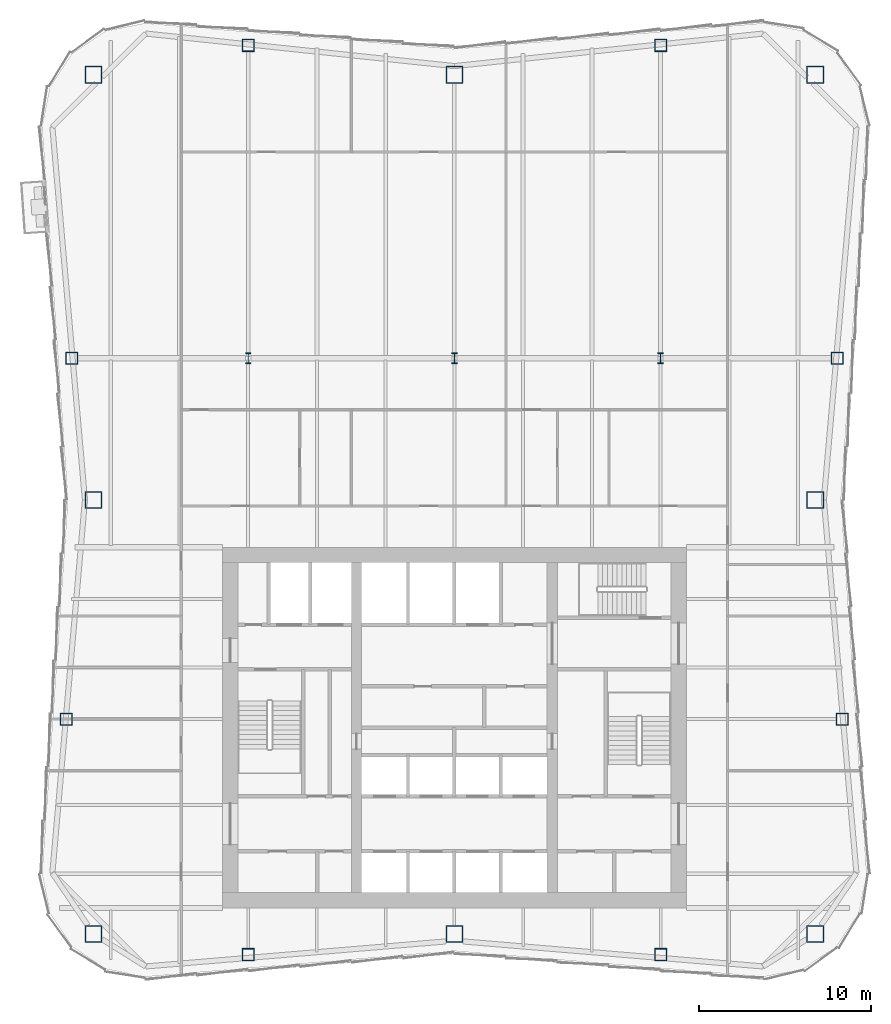
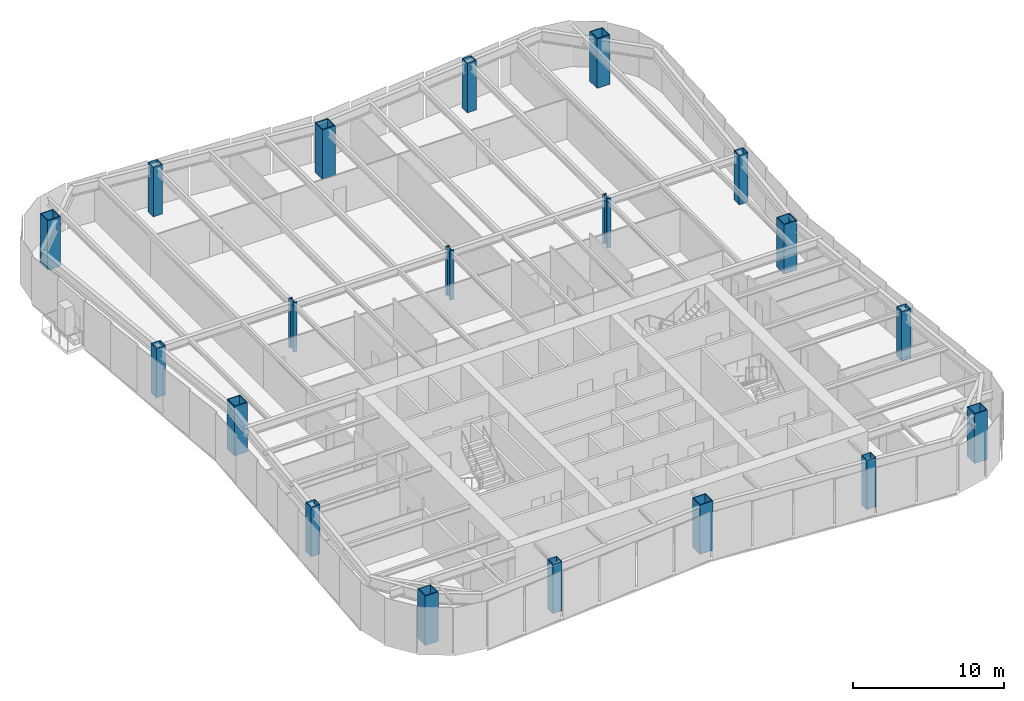
# One storey, part 1 of 10: 19 columns.
"""IFC4 building model written with IfcOpenShell, lengths in metres."""

from ifc_helpers import new_model, si_unit, direction, frame, origin, origin_2d, place, context, subcontext, project, spatial, hollow_rectangle, i_section, extrude, material, material_profile, profile_set, type_object, element, save


model = new_model("IFC4")

# Units and contexts
model_context = context("Model", 3, precision=1e-05, world=origin(), true_north=direction((0.0, 1.0)))
body_context = subcontext(model_context, "Body", "Model", "MODEL_VIEW")
ifc_project = project(units=[si_unit("LENGTHUNIT", "METRE"), si_unit("AREAUNIT", "SQUARE_METRE"), si_unit("VOLUMEUNIT", "CUBIC_METRE"), si_unit("PLANEANGLEUNIT", "RADIAN"), si_unit("MASSUNIT", "GRAM", prefix="KILO")], contexts=[model_context])

# Site, building, storey
site_placement = place(None, origin())
site = spatial("IfcSite", under=ifc_project, at=site_placement, CompositionType="ELEMENT")
building_placement = place(site_placement, origin())
building = spatial("IfcBuilding", under=site, at=building_placement, Name="Verdant Reach Tower", CompositionType="ELEMENT")
storey_placement = place(building_placement, frame((0.0, 0.0, 190.0)))
storey = spatial("IfcBuildingStorey", under=building, at=storey_placement, Name="L43", CompositionType="ELEMENT", Elevation=190.0)

# Columns
ifc_material = material(Name="Steel S460", Category="steel")
ifc_material_profile_1 = material_profile(ifc_material, i_section(OverallWidth=0.304931640625, OverallDepth=0.6201171875, WebThickness=0.02099609375, FlangeThickness=0.0400390625, FilletRadius=0.027099609375, at=origin_2d()), Name="HEM 600")
ifc_profile_set_1 = profile_set([ifc_material_profile_1], Name="Steel S460")
column_type_1 = type_object("IfcColumnType", Name="ST-COL-HEM600", PredefinedType="COLUMN", material=ifc_profile_set_1)
for number, where, z_axis, x_axis, name in (
    (1, (-12.0, 49.5, 0.0), (0.0, 0.0, 1.0), (1.0, 0.0, 0.0), "Interior column 1, L43"),
    (2, (0.0, 49.5, 0.0), (0.0, 0.0, 1.0), (1.0, 0.0, 0.0), "Interior column 2, L43"),
    (3, (12.0, 49.5, 0.0), (0.0, 0.0, 1.0), (1.0, 0.0, 0.0), "Interior column 3, L43"),
):
    element("IfcColumn", number, at=place(storey_placement, frame(where, z_axis=z_axis, x_axis=x_axis)), inside=storey, type_object=column_type_1, Name=name, PredefinedType="COLUMN", context=body_context, shape_type="SweptSolid", body=[
        extrude(i_section(OverallWidth=0.304931640625, OverallDepth=0.6201171875, WebThickness=0.02099609375, FlangeThickness=0.0400390625, FilletRadius=0.027099609375, at=origin_2d()), origin(), (0.0, 0.0, 1.0), 4.0),
    ])
ifc_material_profile_2 = material_profile(ifc_material, hollow_rectangle(XDim=1.0, YDim=1.0, WallThickness=0.06005859375, at=origin_2d()), Name="WB 1000x1000x60")
ifc_profile_set_2 = profile_set([ifc_material_profile_2], Name="Steel S460")
column_type_2 = type_object("IfcColumnType", Name="ST-COL-WB1000x1000x60", PredefinedType="COLUMN", material=ifc_profile_set_2)
for number, where, z_axis, x_axis, name in (
    (4, (-21.0, 66.0, 0.0), (0.0, 0.0, 1.0), (1.0, 0.0, 0.0), "Mega column north-west, L43"),
    (5, (0.0, 66.0, 0.0), (0.0, 0.0, 1.0), (1.0, 0.0, 0.0), "Mega column north, L43"),
    (6, (21.0, 66.0, 0.0), (0.0, 0.0, 1.0), (1.0, 0.0, 0.0), "Mega column north-east, L43"),
    (7, (21.0, 41.25, 0.0), (0.0, 0.0, 1.0), (1.0, 0.0, 0.0), "Mega column east, L43"),
    (8, (21.0, 16.0, 0.0), (0.0, 0.0, 1.0), (1.0, 0.0, 0.0), "Mega column south-east, L43"),
    (9, (0.0, 16.0, 0.0), (0.0, 0.0, 1.0), (1.0, 0.0, 0.0), "Mega column south, L43"),
    (10, (-21.0, 16.0, 0.0), (0.0, 0.0, 1.0), (1.0, 0.0, 0.0), "Mega column south-west, L43"),
    (11, (-21.0, 41.25, 0.0), (0.0, 0.0, 1.0), (1.0, 0.0, 0.0), "Mega column west, L43"),
):
    element("IfcColumn", number, at=place(storey_placement, frame(where, z_axis=z_axis, x_axis=x_axis)), inside=storey, type_object=column_type_2, Name=name, PredefinedType="COLUMN", context=body_context, shape_type="SweptSolid", body=[
        extrude(hollow_rectangle(XDim=1.0, YDim=1.0, WallThickness=0.06005859375, at=origin_2d()), origin(), (0.0, 0.0, 1.0), 4.0),
    ])
ifc_material_profile_3 = material_profile(ifc_material, hollow_rectangle(XDim=0.699951171875, YDim=0.699951171875, WallThickness=0.030029296875, at=origin_2d()), Name="WB 700x700x30")
ifc_profile_set_3 = profile_set([ifc_material_profile_3], Name="Steel S460")
column_type_3 = type_object("IfcColumnType", Name="ST-COL-WB700x700x30", PredefinedType="COLUMN", material=ifc_profile_set_3)
for number, where, z_axis, x_axis, name in (
    (12, (-12.0, 67.699951171875, 0.0), (0.0, 0.0, 1.0), (1.0, 0.0, 0.0), "Perimeter column north 1, L43"),
    (13, (12.0, 67.699951171875, 0.0), (0.0, 0.0, 1.0), (1.0, 0.0, 0.0), "Perimeter column north 2, L43"),
    (14, (-12.0, 14.800048828125, 0.0), (0.0, 0.0, 1.0), (1.0, 0.0, 0.0), "Perimeter column south 1, L43"),
    (15, (12.0, 14.800048828125, 0.0), (0.0, 0.0, 1.0), (1.0, 0.0, 0.0), "Perimeter column south 2, L43"),
    (16, (22.579345703125, 28.5, 0.0), (0.0, 0.0, 1.0), (1.0, 0.0, 0.0), "Perimeter column east 1, L43"),
    (17, (22.26904296875, 49.5, 0.0), (0.0, 0.0, 1.0), (1.0, 0.0, 0.0), "Perimeter column east 2, L43"),
    (18, (-22.579345703125, 28.5, 0.0), (0.0, 0.0, 1.0), (1.0, 0.0, 0.0), "Perimeter column west 1, L43"),
    (19, (-22.26904296875, 49.5, 0.0), (0.0, 0.0, 1.0), (1.0, 0.0, 0.0), "Perimeter column west 2, L43"),
):
    element("IfcColumn", number, at=place(storey_placement, frame(where, z_axis=z_axis, x_axis=x_axis)), inside=storey, type_object=column_type_3, Name=name, PredefinedType="COLUMN", context=body_context, shape_type="SweptSolid", body=[
        extrude(hollow_rectangle(XDim=0.699951171875, YDim=0.699951171875, WallThickness=0.030029296875, at=origin_2d()), origin(), (0.0, 0.0, 1.0), 4.0),
    ])

save(model, "model.ifc")
